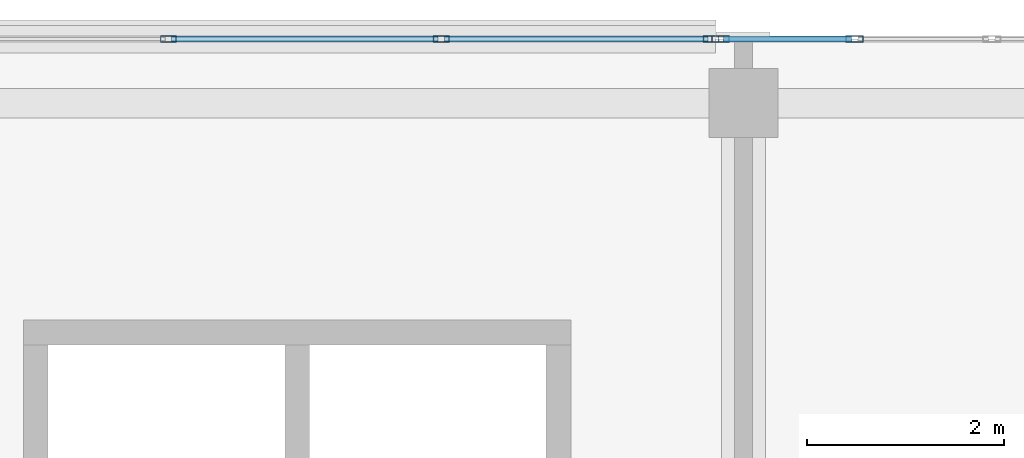
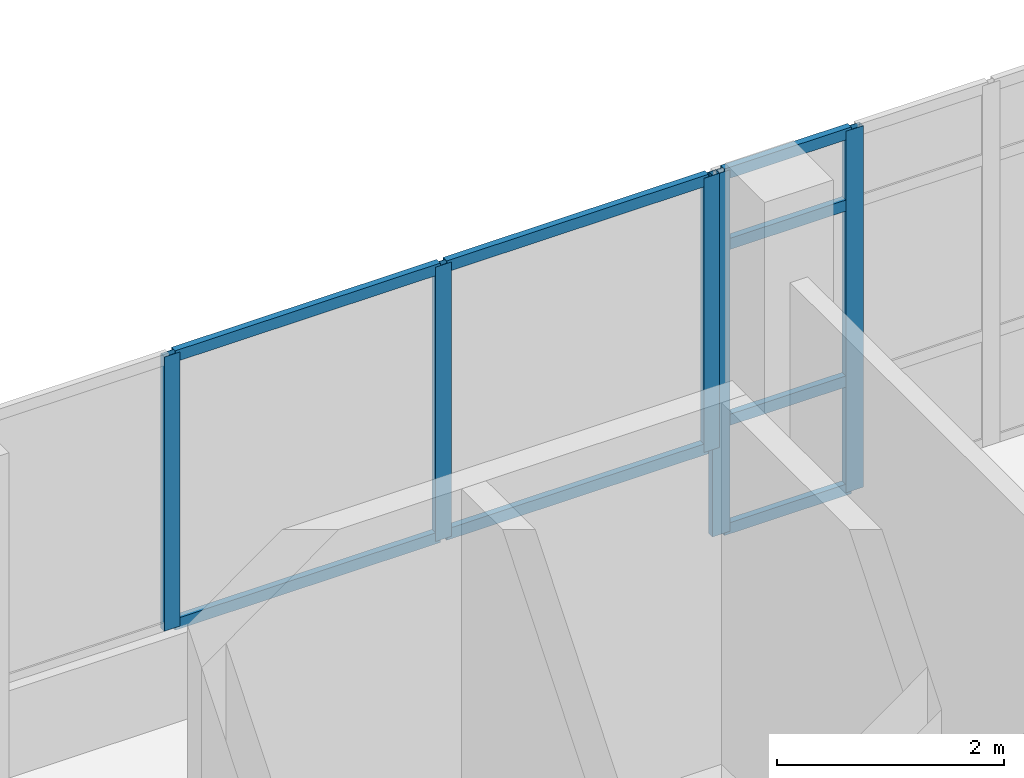
# One storey, part 119 of 184: 13 members, 2 elements without a shape of their own.
"""IFC4 building model written with IfcOpenShell, lengths in metres."""

from ifc_helpers import new_model, si_unit, direction, frame, origin, origin_2d, place, context, subcontext, project, spatial, hollow_rectangle, extrude, material, material_profile, profile_set, type_object, element, aggregate, save


model = new_model("IFC4")

# Units and contexts
model_context = context("Model", 3, precision=1e-05, world=origin(), true_north=direction((0.0, 1.0)))
body_context = subcontext(model_context, "Body", "Model", "MODEL_VIEW")
ifc_project = project(units=[si_unit("LENGTHUNIT", "METRE"), si_unit("AREAUNIT", "SQUARE_METRE"), si_unit("VOLUMEUNIT", "CUBIC_METRE"), si_unit("PLANEANGLEUNIT", "RADIAN"), si_unit("MASSUNIT", "GRAM", prefix="KILO")], contexts=[model_context])

# Site, building, storey
site_placement = place(None, origin())
site = spatial("IfcSite", under=ifc_project, at=site_placement, CompositionType="ELEMENT")
building_placement = place(site_placement, origin())
building = spatial("IfcBuilding", under=site, at=building_placement, Name="Selatvlak General Hospital", CompositionType="ELEMENT")
storey_placement = place(building_placement, frame((0.0, 0.0, 15.0)))
storey = spatial("IfcBuildingStorey", under=building, at=storey_placement, Name="L03", CompositionType="ELEMENT", Elevation=15.0)

# Curtain wall, members
ifc_material_1 = material(Name="Solar-control Low-E double glazing", Category="glass")
curtain_wall_type_1 = type_object("IfcCurtainWallType", Name="CW-CW-02", PredefinedType="USERDEFINED", material=ifc_material_1)
curtain_wall_1_placement = place(storey_placement, origin())
curtain_wall_1 = element("IfcCurtainWall", 1, at=curtain_wall_1_placement, inside=storey, type_object=curtain_wall_type_1, Name="Glazed facade curtain wall CW-L03-0377", ObjectType="UNITISED CURTAIN WALL", PredefinedType="USERDEFINED")
ifc_material_2 = material(Name="Dark anodised aluminium mullion", Category="aluminium")
ifc_material_profile_1 = material_profile(ifc_material_2, hollow_rectangle(XDim=0.06494140625, YDim=0.159912109375, WallThickness=0.00390625, at=origin_2d()), Name="AL-MUL 65x160x4")
ifc_profile_set_1 = profile_set([ifc_material_profile_1], Name="Dark anodised aluminium mullion")
member_type_1 = type_object("IfcMemberType", Name="CWM-01", PredefinedType="MULLION", material=ifc_profile_set_1)
member_1_placement = place(storey_placement, frame((126.170654296875, 120.0, 0.93994140625), z_axis=(0.0, 0.0, 1.0), x_axis=(0.0, 1.0, 0.0)))
member_1 = element("IfcMember", 2, at=member_1_placement, type_object=member_type_1, Name="CW-02 mullion 2", PredefinedType="MULLION", context=body_context, shape_type="SweptSolid", body=[
    extrude(hollow_rectangle(XDim=0.06494140625, YDim=0.159912109375, WallThickness=0.00390625, at=origin_2d()), origin(), (0.0, 0.0, 1.0), 2.955078125),
])
member_2_placement = place(storey_placement, frame((128.937255859375, 120.0, 0.93994140625), z_axis=(0.0, 0.0, 1.0), x_axis=(0.0, 1.0, 0.0)))
member_2 = element("IfcMember", 3, at=member_2_placement, type_object=member_type_1, Name="CW-02 mullion 3", PredefinedType="MULLION", context=body_context, shape_type="SweptSolid", body=[
    extrude(hollow_rectangle(XDim=0.06494140625, YDim=0.159912109375, WallThickness=0.00390625, at=origin_2d()), origin(), (0.0, 0.0, 1.0), 2.955078125),
])
member_3_placement = place(storey_placement, frame((131.67138671875, 120.0, 0.93994140625), z_axis=(0.0, 0.0, 1.0), x_axis=(0.0, 1.0, 0.0)))
member_3 = element("IfcMember", 4, at=member_3_placement, type_object=member_type_1, Name="CW-02 mullion 4", PredefinedType="MULLION", context=body_context, shape_type="SweptSolid", body=[
    extrude(hollow_rectangle(XDim=0.06494140625, YDim=0.159912109375, WallThickness=0.00390625, at=origin_2d()), origin(), (0.0, 0.0, 1.0), 2.955078125),
])

curtain_wall_type_2 = type_object("IfcCurtainWallType", Name="CW-CW-04", PredefinedType="USERDEFINED", material=ifc_material_1)
curtain_wall_2_placement = place(storey_placement, origin())
curtain_wall_2 = element("IfcCurtainWall", 5, at=curtain_wall_2_placement, inside=storey, type_object=curtain_wall_type_2, Name="Glazed facade curtain wall CW-L03-0378", ObjectType="STICK GLAZING WALL", PredefinedType="USERDEFINED")
ifc_material_profile_2 = material_profile(ifc_material_2, hollow_rectangle(XDim=0.06494140625, YDim=0.179931640625, WallThickness=0.00439453125, at=origin_2d()), Name="AL-MUL 65x180x4.5")
ifc_profile_set_2 = profile_set([ifc_material_profile_2], Name="Dark anodised aluminium mullion")
member_type_2 = type_object("IfcMemberType", Name="CWM-02", PredefinedType="MULLION", material=ifc_profile_set_2)
member_4_placement = place(storey_placement, frame((131.7666015625, 120.0, 0.0), z_axis=(0.0, 0.0, 1.0), x_axis=(0.0, 1.0, 0.0)))
member_4 = element("IfcMember", 6, at=member_4_placement, type_object=member_type_2, Name="CW-04 mullion 1", PredefinedType="MULLION", context=body_context, shape_type="SweptSolid", body=[
    extrude(hollow_rectangle(XDim=0.06494140625, YDim=0.179931640625, WallThickness=0.00439453125, at=origin_2d()), origin(), (0.0, 0.0, 1.0), 3.89501953125),
])
member_5_placement = place(storey_placement, frame((133.125732421875, 120.0, 0.0), z_axis=(0.0, 0.0, 1.0), x_axis=(0.0, 1.0, 0.0)))
member_5 = element("IfcMember", 7, at=member_5_placement, type_object=member_type_2, Name="CW-04 mullion 2", PredefinedType="MULLION", context=body_context, shape_type="SweptSolid", body=[
    extrude(hollow_rectangle(XDim=0.06494140625, YDim=0.179931640625, WallThickness=0.00439453125, at=origin_2d()), origin(), (0.0, 0.0, 1.0), 3.89501953125),
])

# Member
ifc_material_profile_3 = material_profile(ifc_material_2, hollow_rectangle(XDim=0.06494140625, YDim=0.1201171875, WallThickness=0.00390625, at=origin_2d()), Name="AL-TRN 65x120x4")
ifc_profile_set_3 = profile_set([ifc_material_profile_3], Name="Dark anodised aluminium mullion")
member_type_3 = type_object("IfcMemberType", Name="CWT-01", PredefinedType="USERDEFINED", material=ifc_profile_set_3)
member_6_placement = place(storey_placement, frame((126.203125, 120.0, 0.972412109375), z_axis=(1.0, 0.0, 0.0), x_axis=(0.0, 1.0, 0.0)))
member_6 = element("IfcMember", 8, at=member_6_placement, type_object=member_type_3, Name="CW-02 transom 2.1", ObjectType="TRANSOM", PredefinedType="USERDEFINED", context=body_context, shape_type="SweptSolid", body=[
    extrude(hollow_rectangle(XDim=0.06494140625, YDim=0.1201171875, WallThickness=0.00390625, at=origin_2d()), origin(), (0.0, 0.0, 1.0), 2.70166015625),
])

member_7_placement = place(storey_placement, frame((126.203125, 120.0, 3.862548828125), z_axis=(1.0, 0.0, 0.0), x_axis=(0.0, 1.0, 0.0)))
member_7 = element("IfcMember", 9, at=member_7_placement, type_object=member_type_3, Name="CW-02 transom 2.2", ObjectType="TRANSOM", PredefinedType="USERDEFINED", context=body_context, shape_type="SweptSolid", body=[
    extrude(hollow_rectangle(XDim=0.06494140625, YDim=0.1201171875, WallThickness=0.00390625, at=origin_2d()), origin(), (0.0, 0.0, 1.0), 2.70166015625),
])

member_8_placement = place(storey_placement, frame((128.9697265625, 120.0, 0.972412109375), z_axis=(1.0, 0.0, 0.0), x_axis=(0.0, 1.0, 0.0)))
member_8 = element("IfcMember", 10, at=member_8_placement, type_object=member_type_3, Name="CW-02 transom 3.1", ObjectType="TRANSOM", PredefinedType="USERDEFINED", context=body_context, shape_type="SweptSolid", body=[
    extrude(hollow_rectangle(XDim=0.06494140625, YDim=0.1201171875, WallThickness=0.00390625, at=origin_2d()), origin(), (0.0, 0.0, 1.0), 2.669189453125),
])

member_9_placement = place(storey_placement, frame((128.9697265625, 120.0, 3.862548828125), z_axis=(1.0, 0.0, 0.0), x_axis=(0.0, 1.0, 0.0)))
member_9 = element("IfcMember", 11, at=member_9_placement, type_object=member_type_3, Name="CW-02 transom 3.2", ObjectType="TRANSOM", PredefinedType="USERDEFINED", context=body_context, shape_type="SweptSolid", body=[
    extrude(hollow_rectangle(XDim=0.06494140625, YDim=0.1201171875, WallThickness=0.00390625, at=origin_2d()), origin(), (0.0, 0.0, 1.0), 2.669189453125),
])

aggregate(curtain_wall_1, [member_1, member_2, member_3, member_6, member_7, member_8, member_9])

member_10_placement = place(storey_placement, frame((131.799072265625, 120.0, 0.032470703125), z_axis=(1.0, 0.0, 0.0), x_axis=(0.0, 1.0, 0.0)))
member_10 = element("IfcMember", 12, at=member_10_placement, type_object=member_type_3, Name="CW-04 transom 1.1", ObjectType="TRANSOM", PredefinedType="USERDEFINED", context=body_context, shape_type="SweptSolid", body=[
    extrude(hollow_rectangle(XDim=0.06494140625, YDim=0.1201171875, WallThickness=0.00390625, at=origin_2d()), origin(), (0.0, 0.0, 1.0), 1.294189453125),
])

member_11_placement = place(storey_placement, frame((131.799072265625, 120.0, 1.199951171875), z_axis=(1.0, 0.0, 0.0), x_axis=(0.0, 1.0, 0.0)))
member_11 = element("IfcMember", 13, at=member_11_placement, type_object=member_type_3, Name="CW-04 transom 1.2", ObjectType="TRANSOM", PredefinedType="USERDEFINED", context=body_context, shape_type="SweptSolid", body=[
    extrude(hollow_rectangle(XDim=0.06494140625, YDim=0.1201171875, WallThickness=0.00390625, at=origin_2d()), origin(), (0.0, 0.0, 1.0), 1.294189453125),
])

member_12_placement = place(storey_placement, frame((131.799072265625, 120.0, 3.094970703125), z_axis=(1.0, 0.0, 0.0), x_axis=(0.0, 1.0, 0.0)))
member_12 = element("IfcMember", 14, at=member_12_placement, type_object=member_type_3, Name="CW-04 transom 1.3", ObjectType="TRANSOM", PredefinedType="USERDEFINED", context=body_context, shape_type="SweptSolid", body=[
    extrude(hollow_rectangle(XDim=0.06494140625, YDim=0.1201171875, WallThickness=0.00390625, at=origin_2d()), origin(), (0.0, 0.0, 1.0), 1.294189453125),
])

member_13_placement = place(storey_placement, frame((131.799072265625, 120.0, 3.862548828125), z_axis=(1.0, 0.0, 0.0), x_axis=(0.0, 1.0, 0.0)))
member_13 = element("IfcMember", 15, at=member_13_placement, type_object=member_type_3, Name="CW-04 transom 1.4", ObjectType="TRANSOM", PredefinedType="USERDEFINED", context=body_context, shape_type="SweptSolid", body=[
    extrude(hollow_rectangle(XDim=0.06494140625, YDim=0.1201171875, WallThickness=0.00390625, at=origin_2d()), origin(), (0.0, 0.0, 1.0), 1.294189453125),
])

aggregate(curtain_wall_2, [member_4, member_5, member_10, member_11, member_12, member_13])

save(model, "model.ifc")
